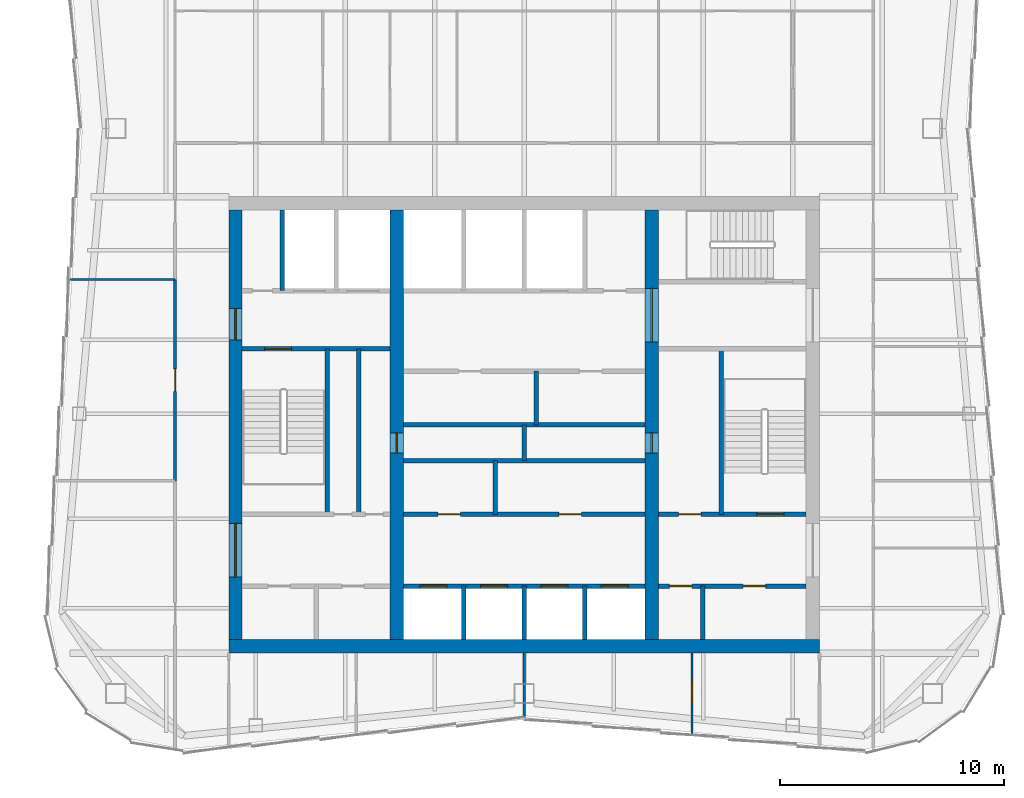
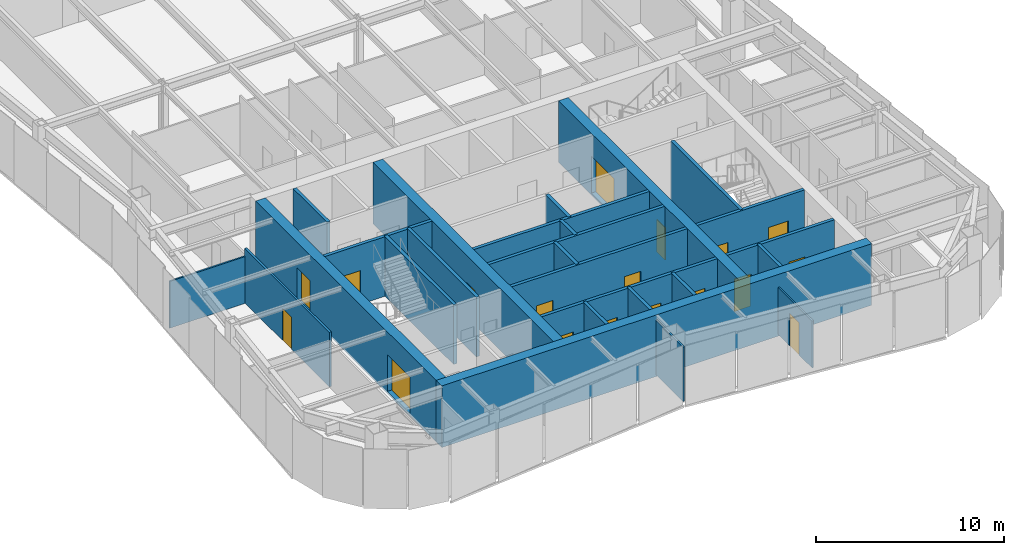
# One storey, part 6 of 11: 26 walls, 18 doors, 18 openings.
"""IFC4 building model written with IfcOpenShell, lengths in metres."""

from ifc_helpers import new_model, si_unit, direction, frame, frame_2d, origin, place, context, subcontext, project, spatial, rectangle, extrude, material, layer, layer_set, type_object, element, fill, save


model = new_model("IFC4")

# Units and contexts
model_context = context("Model", 3, precision=1e-05, world=origin(), true_north=direction((0.0, 1.0)))
body_context = subcontext(model_context, "Body", "Model", "MODEL_VIEW")
ifc_project = project(units=[si_unit("LENGTHUNIT", "METRE"), si_unit("AREAUNIT", "SQUARE_METRE"), si_unit("VOLUMEUNIT", "CUBIC_METRE"), si_unit("PLANEANGLEUNIT", "RADIAN"), si_unit("MASSUNIT", "GRAM", prefix="KILO")], contexts=[model_context])

# Site, building, storey
site_placement = place(None, origin())
site = spatial("IfcSite", under=ifc_project, at=site_placement, CompositionType="ELEMENT")
building_placement = place(site_placement, origin())
building = spatial("IfcBuilding", under=site, at=building_placement, Name="Verdant Reach Tower", CompositionType="ELEMENT")
storey_placement = place(building_placement, frame((0.0, 0.0, 314.0)))
storey = spatial("IfcBuildingStorey", under=building, at=storey_placement, Name="L72", CompositionType="ELEMENT", Elevation=314.0)

# Wall, openings, doors
ifc_material_1 = material(Name="Gypsum board on steel studs", Category="steel")
ifc_layer_1 = layer(ifc_material_1, 0.199951171875)
ifc_layer_set_1 = layer_set([ifc_layer_1], Name="CO-WALL-ROOM")
wall_type_1 = type_object("IfcWallType", Name="CO-WALL-ROOM", PredefinedType="PARTITIONING", material=ifc_layer_set_1)
wall_1_placement = place(storey_placement, frame((6.0, 20.800048828125, 0.0), z_axis=(0.0, 0.0, 1.0), x_axis=(1.0, 0.0, 0.0)))
wall_1 = element("IfcWall", 1, at=wall_1_placement, inside=storey, type_object=wall_type_1, Name="Core partition, L72", PredefinedType="PARTITIONING", context=body_context, shape_type="SweptSolid", body=[
    extrude(rectangle(XDim=6.60009765625, YDim=0.199951171875, at=frame_2d((3.300048828125, 0.0))), origin(), (0.0, 0.0, 1.0), 3.8701171875),
])
opening_1_placement = place(wall_1_placement, frame((0.489990234375, 0.0, 0.0)))
opening_1 = element("IfcOpeningElement", 2, at=opening_1_placement, cuts=wall_1, Name="Opening CD", PredefinedType="OPENING", context=body_context, shape_type="SweptSolid", body=[
    extrude(rectangle(XDim=1.0, YDim=2.10009765625, at=frame_2d((0.5, 1.050048828125))), frame((0.0, 0.10986328125, 0.0), z_axis=(0.0, -1.0, 0.0), x_axis=(1.0, 0.0, 0.0)), (0.0, 0.0, 1.0), 0.219970703125),
])
opening_2_placement = place(wall_1_placement, frame((3.7900390625, 0.0, 0.0)))
opening_2 = element("IfcOpeningElement", 3, at=opening_2_placement, cuts=wall_1, Name="Opening CD", PredefinedType="OPENING", context=body_context, shape_type="SweptSolid", body=[
    extrude(rectangle(XDim=1.0, YDim=2.10009765625, at=frame_2d((0.5, 1.050048828125))), frame((0.0, 0.10986328125, 0.0), z_axis=(0.0, -1.0, 0.0), x_axis=(1.0, 0.0, 0.0)), (0.0, 0.0, 1.0), 0.219970703125),
])
ifc_material_2 = material(Name="Timber", Category="wood")
door_type_1 = type_object("IfcDoorType", Name="CO-DOOR-ROOM", OperationType="NOTDEFINED", PredefinedType="DOOR", material=ifc_material_2)
door_1_placement = place(opening_1_placement, origin())
door_1 = element("IfcDoor", 4, at=door_1_placement, inside=storey, type_object=door_type_1, Name="Core room door, L72", OperationType="SINGLE_SWING_RIGHT", OverallHeight=2.10009765625, OverallWidth=1.0, PredefinedType="DOOR", context=body_context, shape_type="SweptSolid", body=[
    extrude(rectangle(XDim=1.0, YDim=2.10009765625, at=frame_2d((0.5, 1.050048828125))), frame((0.0, 0.02490234375, 0.0), z_axis=(0.0, -1.0, 0.0), x_axis=(1.0, 0.0, 0.0)), (0.0, 0.0, 1.0), 0.050048828125),
])
fill(opening_1, door_1)
door_2_placement = place(opening_2_placement, origin())
door_2 = element("IfcDoor", 5, at=door_2_placement, inside=storey, type_object=door_type_1, Name="Core room door, L72", OperationType="SINGLE_SWING_RIGHT", OverallHeight=2.10009765625, OverallWidth=1.0, PredefinedType="DOOR", context=body_context, shape_type="SweptSolid", body=[
    extrude(rectangle(XDim=1.0, YDim=2.10009765625, at=frame_2d((0.5, 1.050048828125))), frame((0.0, 0.02490234375, 0.0), z_axis=(0.0, -1.0, 0.0), x_axis=(1.0, 0.0, 0.0)), (0.0, 0.0, 1.0), 0.050048828125),
])
fill(opening_2, door_2)

wall_2_placement = place(storey_placement, frame((-5.39990234375, 24.0, 0.0), z_axis=(0.0, 0.0, 1.0), x_axis=(1.0, 0.0, 0.0)))
wall_2 = element("IfcWall", 6, at=wall_2_placement, inside=storey, type_object=wall_type_1, Name="Core partition, L72", PredefinedType="PARTITIONING", context=body_context, shape_type="SweptSolid", body=[
    extrude(rectangle(XDim=10.7998046875, YDim=0.199951171875, at=frame_2d((5.39990234375, 0.0))), origin(), (0.0, 0.0, 1.0), 3.8701171875),
])
opening_3_placement = place(wall_2_placement, frame((1.552001953125, 0.0, 0.0)))
opening_3 = element("IfcOpeningElement", 7, at=opening_3_placement, cuts=wall_2, Name="Opening CD", PredefinedType="OPENING", context=body_context, shape_type="SweptSolid", body=[
    extrude(rectangle(XDim=1.0, YDim=2.10009765625, at=frame_2d((0.5, 1.050048828125))), frame((0.0, 0.10986328125, 0.0), z_axis=(0.0, -1.0, 0.0), x_axis=(1.0, 0.0, 0.0)), (0.0, 0.0, 1.0), 0.219970703125),
])
opening_4_placement = place(wall_2_placement, frame((6.951904296875, 0.0, 0.0)))
opening_4 = element("IfcOpeningElement", 8, at=opening_4_placement, cuts=wall_2, Name="Opening CD", PredefinedType="OPENING", context=body_context, shape_type="SweptSolid", body=[
    extrude(rectangle(XDim=1.0, YDim=2.10009765625, at=frame_2d((0.5, 1.050048828125))), frame((0.0, 0.10986328125, 0.0), z_axis=(0.0, -1.0, 0.0), x_axis=(1.0, 0.0, 0.0)), (0.0, 0.0, 1.0), 0.219970703125),
])
door_3_placement = place(opening_3_placement, origin())
door_3 = element("IfcDoor", 9, at=door_3_placement, inside=storey, type_object=door_type_1, Name="Core room door, L72", OperationType="SINGLE_SWING_LEFT", OverallHeight=2.10009765625, OverallWidth=1.0, PredefinedType="DOOR", context=body_context, shape_type="SweptSolid", body=[
    extrude(rectangle(XDim=1.0, YDim=2.10009765625, at=frame_2d((0.5, 1.050048828125))), frame((0.0, 0.02490234375, 0.0), z_axis=(0.0, -1.0, 0.0), x_axis=(1.0, 0.0, 0.0)), (0.0, 0.0, 1.0), 0.050048828125),
])
fill(opening_3, door_3)
door_4_placement = place(opening_4_placement, origin())
door_4 = element("IfcDoor", 10, at=door_4_placement, inside=storey, type_object=door_type_1, Name="Core room door, L72", OperationType="SINGLE_SWING_RIGHT", OverallHeight=2.10009765625, OverallWidth=1.0, PredefinedType="DOOR", context=body_context, shape_type="SweptSolid", body=[
    extrude(rectangle(XDim=1.0, YDim=2.10009765625, at=frame_2d((0.5, 1.050048828125))), frame((0.0, 0.02490234375, 0.0), z_axis=(0.0, -1.0, 0.0), x_axis=(1.0, 0.0, 0.0)), (0.0, 0.0, 1.0), 0.050048828125),
])
fill(opening_4, door_4)

# Walls
for number, where, z_axis, x_axis, name in (
    (11, (-5.39990234375, 26.39990234375, 0.0), (0.0, 0.0, 1.0), (1.0, 0.0, 0.0), "Core partition, L72"),
    (12, (-5.39990234375, 28.0, 0.0), (0.0, 0.0, 1.0), (1.0, 0.0, 0.0), "Core partition, L72"),
):
    element("IfcWall", number, at=place(storey_placement, frame(where, z_axis=z_axis, x_axis=x_axis)), inside=storey, type_object=wall_type_1, Name=name, PredefinedType="PARTITIONING", context=body_context, shape_type="SweptSolid", body=[
        extrude(rectangle(XDim=10.7998046875, YDim=0.199951171875, at=frame_2d((5.39990234375, 0.0))), origin(), (0.0, 0.0, 1.0), 3.8701171875),
    ])
wall_3_placement = place(storey_placement, frame((-7.39990234375, 24.0, 0.0), z_axis=(0.0, 0.0, 1.0), x_axis=(0.0, 1.0, 0.0)))
element("IfcWall", 13, at=wall_3_placement, inside=storey, type_object=wall_type_1, Name="Core partition, L72", PredefinedType="PARTITIONING", context=body_context, shape_type="SweptSolid", body=[
    extrude(rectangle(XDim=7.39990234375, YDim=0.199951171875, at=frame_2d((3.699951171875, 0.0))), origin(), (0.0, 0.0, 1.0), 3.8701171875),
])
wall_4_placement = place(storey_placement, frame((-1.2958984375, 24.0, 0.0), z_axis=(0.0, 0.0, 1.0), x_axis=(0.0, 1.0, 0.0)))
element("IfcWall", 14, at=wall_4_placement, inside=storey, type_object=wall_type_1, Name="Core partition, L72", PredefinedType="PARTITIONING", context=body_context, shape_type="SweptSolid", body=[
    extrude(rectangle(XDim=2.39990234375, YDim=0.199951171875, at=frame_2d((1.199951171875, 0.0))), origin(), (0.0, 0.0, 1.0), 3.8701171875),
])
wall_5_placement = place(storey_placement, frame((0.0, 26.39990234375, 0.0), z_axis=(0.0, 0.0, 1.0), x_axis=(0.0, 1.0, 0.0)))
element("IfcWall", 15, at=wall_5_placement, inside=storey, type_object=wall_type_1, Name="Core partition, L72", PredefinedType="PARTITIONING", context=body_context, shape_type="SweptSolid", body=[
    extrude(rectangle(XDim=1.60009765625, YDim=0.199951171875, at=frame_2d((0.800048828125, 0.0))), origin(), (0.0, 0.0, 1.0), 3.8701171875),
])
wall_6_placement = place(storey_placement, frame((0.5400390625, 28.0, 0.0), z_axis=(0.0, 0.0, 1.0), x_axis=(0.0, 1.0, 0.0)))
element("IfcWall", 16, at=wall_6_placement, inside=storey, type_object=wall_type_1, Name="Core partition, L72", PredefinedType="PARTITIONING", context=body_context, shape_type="SweptSolid", body=[
    extrude(rectangle(XDim=2.39990234375, YDim=0.199951171875, at=frame_2d((1.199951171875, 0.0))), origin(), (0.0, 0.0, 1.0), 3.8701171875),
])
wall_7_placement = place(storey_placement, frame((7.97998046875, 18.39990234375, 0.0), z_axis=(0.0, 0.0, 1.0), x_axis=(0.0, 1.0, 0.0)))
element("IfcWall", 17, at=wall_7_placement, inside=storey, type_object=wall_type_1, Name="Core partition, L72", PredefinedType="PARTITIONING", context=body_context, shape_type="SweptSolid", body=[
    extrude(rectangle(XDim=2.400146484375, YDim=0.199951171875, at=frame_2d((1.2001953125, 0.0))), origin(), (0.0, 0.0, 1.0), 3.8701171875),
])

# Wall, openings, doors
ifc_material_3 = material(Name="Concrete C40/50", Category="concrete")
ifc_layer_2 = layer(ifc_material_3, 0.199951171875)
ifc_layer_set_2 = layer_set([ifc_layer_2], Name="CO-WALL-SHAFT")
wall_type_2 = type_object("IfcWallType", Name="CO-WALL-SHAFT", PredefinedType="PARTITIONING", material=ifc_layer_set_2)
wall_8_placement = place(storey_placement, frame((-5.39990234375, 20.800048828125, 0.0), z_axis=(0.0, 0.0, 1.0), x_axis=(1.0, 0.0, 0.0)))
wall_8 = element("IfcWall", 18, at=wall_8_placement, inside=storey, type_object=wall_type_2, Name="Lift shaft wall, L72", PredefinedType="PARTITIONING", context=body_context, shape_type="SweptSolid", body=[
    extrude(rectangle(XDim=10.7998046875, YDim=0.199951171875, at=frame_2d((5.39990234375, 0.0))), origin(), (0.0, 0.0, 1.0), 3.8701171875),
])
opening_5_placement = place(wall_8_placement, frame((0.75, 0.0, 0.0)))
opening_5 = element("IfcOpeningElement", 19, at=opening_5_placement, cuts=wall_8, Name="Opening LD-B1", PredefinedType="OPENING", context=body_context, shape_type="SweptSolid", body=[
    extrude(rectangle(XDim=1.199951171875, YDim=2.199951171875, at=frame_2d((0.60009765625, 1.10009765625))), frame((0.0, 0.10986328125, 0.0), z_axis=(0.0, -1.0, 0.0), x_axis=(1.0, 0.0, 0.0)), (0.0, 0.0, 1.0), 0.219970703125),
])
opening_6_placement = place(wall_8_placement, frame((3.449951171875, 0.0, 0.0)))
opening_6 = element("IfcOpeningElement", 20, at=opening_6_placement, cuts=wall_8, Name="Opening LD-B2", PredefinedType="OPENING", context=body_context, shape_type="SweptSolid", body=[
    extrude(rectangle(XDim=1.199951171875, YDim=2.199951171875, at=frame_2d((0.60009765625, 1.10009765625))), frame((0.0, 0.10986328125, 0.0), z_axis=(0.0, -1.0, 0.0), x_axis=(1.0, 0.0, 0.0)), (0.0, 0.0, 1.0), 0.219970703125),
])
opening_7_placement = place(wall_8_placement, frame((6.14990234375, 0.0, 0.0)))
opening_7 = element("IfcOpeningElement", 21, at=opening_7_placement, cuts=wall_8, Name="Opening LD-B3", PredefinedType="OPENING", context=body_context, shape_type="SweptSolid", body=[
    extrude(rectangle(XDim=1.199951171875, YDim=2.199951171875, at=frame_2d((0.60009765625, 1.10009765625))), frame((0.0, 0.10986328125, 0.0), z_axis=(0.0, -1.0, 0.0), x_axis=(1.0, 0.0, 0.0)), (0.0, 0.0, 1.0), 0.219970703125),
])
opening_8_placement = place(wall_8_placement, frame((8.85009765625, 0.0, 0.0)))
opening_8 = element("IfcOpeningElement", 22, at=opening_8_placement, cuts=wall_8, Name="Opening LD-B4", PredefinedType="OPENING", context=body_context, shape_type="SweptSolid", body=[
    extrude(rectangle(XDim=1.199951171875, YDim=2.199951171875, at=frame_2d((0.60009765625, 1.10009765625))), frame((0.0, 0.10986328125, 0.0), z_axis=(0.0, -1.0, 0.0), x_axis=(1.0, 0.0, 0.0)), (0.0, 0.0, 1.0), 0.219970703125),
])
ifc_material_4 = material(Name="Stainless steel", Category="steel")
door_type_2 = type_object("IfcDoorType", Name="CO-DOOR-LANDING", OperationType="SLIDING_TO_LEFT", PredefinedType="DOOR", material=ifc_material_4)
door_5_placement = place(opening_5_placement, origin())
door_5 = element("IfcDoor", 23, at=door_5_placement, inside=storey, type_object=door_type_2, Name="Landing door B1, L72", OperationType="SLIDING_TO_LEFT", OverallHeight=2.199951171875, OverallWidth=1.199951171875, PredefinedType="DOOR", context=body_context, shape_type="SweptSolid", body=[
    extrude(rectangle(XDim=1.199951171875, YDim=2.199951171875, at=frame_2d((0.60009765625, 1.10009765625))), frame((0.0, 0.02490234375, 0.0), z_axis=(0.0, -1.0, 0.0), x_axis=(1.0, 0.0, 0.0)), (0.0, 0.0, 1.0), 0.050048828125),
])
fill(opening_5, door_5)
door_6_placement = place(opening_6_placement, origin())
door_6 = element("IfcDoor", 24, at=door_6_placement, inside=storey, type_object=door_type_2, Name="Landing door B2, L72", OperationType="SLIDING_TO_LEFT", OverallHeight=2.199951171875, OverallWidth=1.199951171875, PredefinedType="DOOR", context=body_context, shape_type="SweptSolid", body=[
    extrude(rectangle(XDim=1.199951171875, YDim=2.199951171875, at=frame_2d((0.60009765625, 1.10009765625))), frame((0.0, 0.02490234375, 0.0), z_axis=(0.0, -1.0, 0.0), x_axis=(1.0, 0.0, 0.0)), (0.0, 0.0, 1.0), 0.050048828125),
])
fill(opening_6, door_6)
door_7_placement = place(opening_7_placement, origin())
door_7 = element("IfcDoor", 25, at=door_7_placement, inside=storey, type_object=door_type_2, Name="Landing door B3, L72", OperationType="SLIDING_TO_LEFT", OverallHeight=2.199951171875, OverallWidth=1.199951171875, PredefinedType="DOOR", context=body_context, shape_type="SweptSolid", body=[
    extrude(rectangle(XDim=1.199951171875, YDim=2.199951171875, at=frame_2d((0.60009765625, 1.10009765625))), frame((0.0, 0.02490234375, 0.0), z_axis=(0.0, -1.0, 0.0), x_axis=(1.0, 0.0, 0.0)), (0.0, 0.0, 1.0), 0.050048828125),
])
fill(opening_7, door_7)
door_8_placement = place(opening_8_placement, origin())
door_8 = element("IfcDoor", 26, at=door_8_placement, inside=storey, type_object=door_type_2, Name="Landing door B4, L72", OperationType="SLIDING_TO_LEFT", OverallHeight=2.199951171875, OverallWidth=1.199951171875, PredefinedType="DOOR", context=body_context, shape_type="SweptSolid", body=[
    extrude(rectangle(XDim=1.199951171875, YDim=2.199951171875, at=frame_2d((0.60009765625, 1.10009765625))), frame((0.0, 0.02490234375, 0.0), z_axis=(0.0, -1.0, 0.0), x_axis=(1.0, 0.0, 0.0)), (0.0, 0.0, 1.0), 0.050048828125),
])
fill(opening_8, door_8)

# Walls
wall_9_placement = place(storey_placement, frame((-10.800048828125, 34.0, 0.0), z_axis=(0.0, 0.0, 1.0), x_axis=(0.0, 1.0, 0.0)))
element("IfcWall", 27, at=wall_9_placement, inside=storey, type_object=wall_type_2, Name="Lift shaft wall, L72", PredefinedType="PARTITIONING", context=body_context, shape_type="SweptSolid", body=[
    extrude(rectangle(XDim=3.60009765625, YDim=0.199951171875, at=frame_2d((1.800048828125, 0.0))), origin(), (0.0, 0.0, 1.0), 3.8701171875),
])
for number, where, z_axis, x_axis, name in (
    (28, (-2.699951171875, 18.39990234375, 0.0), (0.0, 0.0, 1.0), (0.0, 1.0, 0.0), "Lift shaft wall, L72"),
    (29, (0.0, 18.39990234375, 0.0), (0.0, 0.0, 1.0), (0.0, 1.0, 0.0), "Lift shaft wall, L72"),
    (30, (2.699951171875, 18.39990234375, 0.0), (0.0, 0.0, 1.0), (0.0, 1.0, 0.0), "Lift shaft wall, L72"),
):
    element("IfcWall", number, at=place(storey_placement, frame(where, z_axis=z_axis, x_axis=x_axis)), inside=storey, type_object=wall_type_2, Name=name, PredefinedType="PARTITIONING", context=body_context, shape_type="SweptSolid", body=[
        extrude(rectangle(XDim=2.400146484375, YDim=0.199951171875, at=frame_2d((1.2001953125, 0.0))), origin(), (0.0, 0.0, 1.0), 3.8701171875),
    ])

# Wall, openings, doors
ifc_layer_3 = layer(ifc_material_3, 0.199951171875)
ifc_layer_set_3 = layer_set([ifc_layer_3], Name="CO-WALL-STAIR")
wall_type_3 = type_object("IfcWallType", Name="CO-WALL-STAIR", PredefinedType="PARTITIONING", material=ifc_layer_set_3)
wall_10_placement = place(storey_placement, frame((6.0, 24.0, 0.0), z_axis=(0.0, 0.0, 1.0), x_axis=(1.0, 0.0, 0.0)))
wall_10 = element("IfcWall", 31, at=wall_10_placement, inside=storey, type_object=wall_type_3, Name="Stair enclosure wall, L72", PredefinedType="PARTITIONING", context=body_context, shape_type="SweptSolid", body=[
    extrude(rectangle(XDim=6.60009765625, YDim=0.199951171875, at=frame_2d((3.300048828125, 0.0))), origin(), (0.0, 0.0, 1.0), 3.8701171875),
])
opening_9_placement = place(wall_10_placement, frame((0.89990234375, 0.0, 0.0)))
opening_9 = element("IfcOpeningElement", 32, at=opening_9_placement, cuts=wall_10, Name="Opening CD", PredefinedType="OPENING", context=body_context, shape_type="SweptSolid", body=[
    extrude(rectangle(XDim=1.0, YDim=2.10009765625, at=frame_2d((0.5, 1.050048828125))), frame((0.0, 0.10986328125, 0.0), z_axis=(0.0, -1.0, 0.0), x_axis=(1.0, 0.0, 0.0)), (0.0, 0.0, 1.0), 0.219970703125),
])
opening_10_placement = place(wall_10_placement, frame((4.39990234375, 0.0, 0.0)))
opening_10 = element("IfcOpeningElement", 33, at=opening_10_placement, cuts=wall_10, Name="Opening SD", PredefinedType="OPENING", context=body_context, shape_type="SweptSolid", body=[
    extrude(rectangle(XDim=1.199951171875, YDim=2.199951171875, at=frame_2d((0.60009765625, 1.10009765625))), frame((0.0, 0.10986328125, 0.0), z_axis=(0.0, -1.0, 0.0), x_axis=(1.0, 0.0, 0.0)), (0.0, 0.0, 1.0), 0.219970703125),
])
door_9_placement = place(opening_9_placement, origin())
door_9 = element("IfcDoor", 34, at=door_9_placement, inside=storey, type_object=door_type_1, Name="Core room door, L72", OperationType="SINGLE_SWING_RIGHT", OverallHeight=2.10009765625, OverallWidth=1.0, PredefinedType="DOOR", context=body_context, shape_type="SweptSolid", body=[
    extrude(rectangle(XDim=1.0, YDim=2.10009765625, at=frame_2d((0.5, 1.050048828125))), frame((0.0, 0.02490234375, 0.0), z_axis=(0.0, -1.0, 0.0), x_axis=(1.0, 0.0, 0.0)), (0.0, 0.0, 1.0), 0.050048828125),
])
fill(opening_9, door_9)
ifc_material_5 = material(Name="Steel", Category="steel")
door_type_3 = type_object("IfcDoorType", Name="CO-DOOR-STAIR", OperationType="NOTDEFINED", PredefinedType="DOOR", material=ifc_material_5)
door_10_placement = place(opening_10_placement, origin())
door_10 = element("IfcDoor", 35, at=door_10_placement, inside=storey, type_object=door_type_3, Name="Stair door, L72", OperationType="SINGLE_SWING_LEFT", OverallHeight=2.199951171875, OverallWidth=1.199951171875, PredefinedType="DOOR", context=body_context, shape_type="SweptSolid", body=[
    extrude(rectangle(XDim=1.199951171875, YDim=2.199951171875, at=frame_2d((0.60009765625, 1.10009765625))), frame((0.0, 0.02490234375, 0.0), z_axis=(0.0, -1.0, 0.0), x_axis=(1.0, 0.0, 0.0)), (0.0, 0.0, 1.0), 0.050048828125),
])
fill(opening_10, door_10)

# Wall, opening, door
wall_11_placement = place(storey_placement, frame((-12.60009765625, 31.39990234375, 0.0), z_axis=(0.0, 0.0, 1.0), x_axis=(1.0, 0.0, 0.0)))
wall_11 = element("IfcWall", 36, at=wall_11_placement, inside=storey, type_object=wall_type_3, Name="Stair enclosure wall, L72", PredefinedType="PARTITIONING", context=body_context, shape_type="SweptSolid", body=[
    extrude(rectangle(XDim=6.60009765625, YDim=0.199951171875, at=frame_2d((3.300048828125, 0.0))), origin(), (0.0, 0.0, 1.0), 3.8701171875),
])
opening_11_placement = place(wall_11_placement, frame((1.0, 0.0, 0.0)))
opening_11 = element("IfcOpeningElement", 37, at=opening_11_placement, cuts=wall_11, Name="Opening SD", PredefinedType="OPENING", context=body_context, shape_type="SweptSolid", body=[
    extrude(rectangle(XDim=1.199951171875, YDim=2.199951171875, at=frame_2d((0.60009765625, 1.10009765625))), frame((0.0, 0.10986328125, 0.0), z_axis=(0.0, -1.0, 0.0), x_axis=(1.0, 0.0, 0.0)), (0.0, 0.0, 1.0), 0.219970703125),
])
door_11_placement = place(opening_11_placement, origin())
door_11 = element("IfcDoor", 38, at=door_11_placement, inside=storey, type_object=door_type_3, Name="Stair door, L72", OperationType="SINGLE_SWING_RIGHT", OverallHeight=2.199951171875, OverallWidth=1.199951171875, PredefinedType="DOOR", context=body_context, shape_type="SweptSolid", body=[
    extrude(rectangle(XDim=1.199951171875, YDim=2.199951171875, at=frame_2d((0.60009765625, 1.10009765625))), frame((0.0, 0.02490234375, 0.0), z_axis=(0.0, -1.0, 0.0), x_axis=(1.0, 0.0, 0.0)), (0.0, 0.0, 1.0), 0.050048828125),
])
fill(opening_11, door_11)

# Walls
for number, where, z_axis, x_axis, name in (
    (39, (-8.800048828125, 24.0, 0.0), (0.0, 0.0, 1.0), (0.0, 1.0, 0.0), "Stair enclosure wall, L72"),
    (40, (8.800048828125, 24.0, 0.0), (0.0, 0.0, 1.0), (0.0, 1.0, 0.0), "Stair enclosure wall, L72"),
):
    element("IfcWall", number, at=place(storey_placement, frame(where, z_axis=z_axis, x_axis=x_axis)), inside=storey, type_object=wall_type_3, Name=name, PredefinedType="PARTITIONING", context=body_context, shape_type="SweptSolid", body=[
        extrude(rectangle(XDim=7.39990234375, YDim=0.199951171875, at=frame_2d((3.699951171875, 0.0))), origin(), (0.0, 0.0, 1.0), 3.8701171875),
    ])
ifc_layer_4 = layer(ifc_material_1, 0.10009765625)
ifc_layer_set_4 = layer_set([ifc_layer_4], Name="FL-W1 Partition 100")
wall_type_4 = type_object("IfcWallType", Name="FL-W1 Partition 100", PredefinedType="PARTITIONING", material=ifc_layer_set_4)
wall_12_placement = place(storey_placement, frame((-15.60009765625, 34.5, 0.0), z_axis=(0.0, 0.0, 1.0), x_axis=(-1.0, 0.0, 0.0)))
element("IfcWall", 41, at=wall_12_placement, inside=storey, type_object=wall_type_4, Name="Partition 72.19", PredefinedType="PARTITIONING", context=body_context, shape_type="SweptSolid", body=[
    extrude(rectangle(XDim=4.6953125, YDim=0.10009765625, at=frame_2d((2.34765625, 0.0))), origin(), (0.0, 0.0, 1.0), 3.0400390625),
])
wall_13_placement = place(storey_placement, frame((0.0, 14.919921875, 0.0), z_axis=(0.0, 0.0, 1.0), x_axis=(0.0, 1.0, 0.0)))
element("IfcWall", 42, at=wall_13_placement, inside=storey, type_object=wall_type_4, Name="Partition 72.32", PredefinedType="PARTITIONING", context=body_context, shape_type="SweptSolid", body=[
    extrude(rectangle(XDim=2.880126953125, YDim=0.10009765625, at=frame_2d((1.43994140625, 0.0))), origin(), (0.0, 0.0, 1.0), 3.5400390625),
])

# Wall, opening, door
wall_14_placement = place(storey_placement, frame((7.5, 14.182373046875, 0.0), z_axis=(0.0, 0.0, 1.0), x_axis=(0.0, 1.0, 0.0)))
wall_14 = element("IfcWall", 43, at=wall_14_placement, inside=storey, type_object=wall_type_4, Name="Partition 72.33", PredefinedType="PARTITIONING", context=body_context, shape_type="SweptSolid", body=[
    extrude(rectangle(XDim=3.61767578125, YDim=0.10009765625, at=frame_2d((1.808837890625, 0.0))), origin(), (0.0, 0.0, 1.0), 3.0400390625),
])
opening_12_placement = place(wall_14_placement, frame((1.3740234375, 0.0, 0.0)))
opening_12 = element("IfcOpeningElement", 44, at=opening_12_placement, cuts=wall_14, Name="Opening D3", PredefinedType="OPENING", context=body_context, shape_type="SweptSolid", body=[
    extrude(rectangle(XDim=1.0, YDim=2.10009765625, at=frame_2d((0.5, 1.050048828125))), frame((0.0, 0.06005859375, 0.0), z_axis=(0.0, -1.0, 0.0), x_axis=(1.0, 0.0, 0.0)), (0.0, 0.0, 1.0), 0.1201171875),
])
ifc_material_6 = material(Name="Painted timber door leaf", Category="wood")
door_type_4 = type_object("IfcDoorType", Name="FL-D3 Door 1000x2100", OperationType="NOTDEFINED", PredefinedType="DOOR", material=ifc_material_6)
door_12_placement = place(opening_12_placement, origin())
door_12 = element("IfcDoor", 45, at=door_12_placement, inside=storey, type_object=door_type_4, Name="Door 72-016", OperationType="SINGLE_SWING_RIGHT", OverallHeight=2.10009765625, OverallWidth=1.0, PredefinedType="DOOR", context=body_context, shape_type="SweptSolid", body=[
    extrude(rectangle(XDim=1.0, YDim=2.10009765625, at=frame_2d((0.5, 1.050048828125))), frame((0.0, 0.02490234375, 0.0), z_axis=(0.0, -1.0, 0.0), x_axis=(1.0, 0.0, 0.0)), (0.0, 0.0, 1.0), 0.050048828125),
])
fill(opening_12, door_12)

ifc_material_7 = material(Name="Gypsum board on steel studs, fire rated", Category="steel")
ifc_layer_5 = layer(ifc_material_7, 0.125)
ifc_layer_set_5 = layer_set([ifc_layer_5], Name="FL-W2 Corridor wall 125")
wall_type_5 = type_object("IfcWallType", Name="FL-W2 Corridor wall 125", PredefinedType="PARTITIONING", material=ifc_layer_set_5)
wall_15_placement = place(storey_placement, frame((-15.60009765625, 25.5, 0.0), z_axis=(0.0, 0.0, 1.0), x_axis=(0.0, 1.0, 0.0)))
wall_15 = element("IfcWall", 46, at=wall_15_placement, inside=storey, type_object=wall_type_5, Name="Partition 72.02", PredefinedType="PARTITIONING", context=body_context, shape_type="SweptSolid", body=[
    extrude(rectangle(XDim=9.0, YDim=0.125, at=frame_2d((4.5, 0.0))), origin(), (0.0, 0.0, 1.0), 3.5400390625),
])
opening_13_placement = place(wall_15_placement, frame((4.0, 0.0, 0.0)))
opening_13 = element("IfcOpeningElement", 47, at=opening_13_placement, cuts=wall_15, Name="Opening D2", PredefinedType="OPENING", context=body_context, shape_type="SweptSolid", body=[
    extrude(rectangle(XDim=1.0, YDim=2.10009765625, at=frame_2d((0.5, 1.050048828125))), frame((0.0, 0.072509765625, 0.0), z_axis=(0.0, -1.0, 0.0), x_axis=(1.0, 0.0, 0.0)), (0.0, 0.0, 1.0), 0.14501953125),
])
ifc_material_8 = material(Name="Timber door leaf, fire rated", Category="wood")
door_type_5 = type_object("IfcDoorType", Name="FL-D2 Entrance door 1000x2100 FD30", OperationType="NOTDEFINED", PredefinedType="DOOR", material=ifc_material_8)
door_13_placement = place(opening_13_placement, origin())
door_13 = element("IfcDoor", 48, at=door_13_placement, inside=storey, type_object=door_type_5, Name="Door 72-002", OperationType="SINGLE_SWING_RIGHT", OverallHeight=2.10009765625, OverallWidth=1.0, PredefinedType="DOOR", context=body_context, shape_type="SweptSolid", body=[
    extrude(rectangle(XDim=1.0, YDim=2.10009765625, at=frame_2d((0.5, 1.050048828125))), frame((0.0, 0.02490234375, 0.0), z_axis=(0.0, -1.0, 0.0), x_axis=(1.0, 0.0, 0.0)), (0.0, 0.0, 1.0), 0.050048828125),
])
fill(opening_13, door_13)

# Wall
ifc_material_9 = material(Name="Concrete C70/85", Category="concrete")
ifc_layer_6 = layer(ifc_material_9, 0.60009765625)
ifc_layer_set_6 = layer_set([ifc_layer_6], Name="ST-CORE-WALL-600")
wall_type_6 = type_object("IfcWallType", Name="ST-CORE-WALL-600", PredefinedType="SHEAR", material=ifc_layer_set_6)
wall_16_placement = place(storey_placement, frame((-13.199951171875, 18.10009765625, -0.1298828125), z_axis=(0.0, 0.0, 1.0), x_axis=(1.0, 0.0, 0.0)))
element("IfcWall", 49, at=wall_16_placement, inside=storey, type_object=wall_type_6, Name="Core wall S, L72", PredefinedType="SHEAR", context=body_context, shape_type="SweptSolid", body=[
    extrude(rectangle(XDim=26.39990234375, YDim=0.60009765625, at=frame_2d((13.199951171875, 0.0))), origin(), (0.0, 0.0, 1.0), 4.0),
])

# Wall, openings, doors
wall_17_placement = place(storey_placement, frame((-12.89990234375, 18.39990234375, -0.1298828125), z_axis=(0.0, 0.0, 1.0), x_axis=(0.0, 1.0, 0.0)))
wall_17 = element("IfcWall", 50, at=wall_17_placement, inside=storey, type_object=wall_type_6, Name="Core wall W, L72", PredefinedType="SHEAR", context=body_context, shape_type="SweptSolid", body=[
    extrude(rectangle(XDim=19.2001953125, YDim=0.60009765625, at=frame_2d((9.60009765625, 0.0))), origin(), (0.0, 0.0, 1.0), 4.0),
])
opening_14_placement = place(wall_17_placement, frame((2.800048828125, 0.0, 0.1298828125)))
opening_14 = element("IfcOpeningElement", 51, at=opening_14_placement, cuts=wall_17, Name="Opening LB", PredefinedType="OPENING", context=body_context, shape_type="SweptSolid", body=[
    extrude(rectangle(XDim=2.39990234375, YDim=2.39990234375, at=frame_2d((1.199951171875, 1.199951171875))), frame((0.0, 0.31005859375, 0.0), z_axis=(0.0, -1.0, 0.0), x_axis=(1.0, 0.0, 0.0)), (0.0, 0.0, 1.0), 0.6201171875),
])
opening_15_placement = place(wall_17_placement, frame((13.39990234375, 0.0, 0.1298828125)))
opening_15 = element("IfcOpeningElement", 52, at=opening_15_placement, cuts=wall_17, Name="Opening FL", PredefinedType="OPENING", context=body_context, shape_type="SweptSolid", body=[
    extrude(rectangle(XDim=1.39990234375, YDim=2.199951171875, at=frame_2d((0.699951171875, 1.10009765625))), frame((0.0, 0.31005859375, 0.0), z_axis=(0.0, -1.0, 0.0), x_axis=(1.0, 0.0, 0.0)), (0.0, 0.0, 1.0), 0.6201171875),
])
door_type_6 = type_object("IfcDoorType", Name="CO-DOOR-FFL", OperationType="NOTDEFINED", PredefinedType="DOOR", material=ifc_material_5)
door_14_placement = place(opening_15_placement, origin())
door_14 = element("IfcDoor", 53, at=door_14_placement, inside=storey, type_object=door_type_6, Name="Core entrance door, L72", OperationType="SINGLE_SWING_RIGHT", OverallHeight=2.199951171875, OverallWidth=1.39990234375, PredefinedType="DOOR", context=body_context, shape_type="SweptSolid", body=[
    extrude(rectangle(XDim=1.39990234375, YDim=2.199951171875, at=frame_2d((0.699951171875, 1.10009765625))), frame((0.0, 0.02490234375, 0.0), z_axis=(0.0, -1.0, 0.0), x_axis=(1.0, 0.0, 0.0)), (0.0, 0.0, 1.0), 0.050048828125),
])
fill(opening_15, door_14)
ifc_material_10 = material(Name="Glass and steel", Category="steel")
door_type_7 = type_object("IfcDoorType", Name="CO-DOOR-LOBBY", OperationType="DOUBLE_DOOR_SINGLE_SWING", PredefinedType="DOOR", material=ifc_material_10)
door_15_placement = place(opening_14_placement, origin())
door_15 = element("IfcDoor", 54, at=door_15_placement, inside=storey, type_object=door_type_7, Name="Core entrance door, L72", OperationType="DOUBLE_DOOR_SINGLE_SWING", OverallHeight=2.39990234375, OverallWidth=2.39990234375, PredefinedType="DOOR", context=body_context, shape_type="SweptSolid", body=[
    extrude(rectangle(XDim=2.39990234375, YDim=2.39990234375, at=frame_2d((1.199951171875, 1.199951171875))), frame((0.0, 0.02490234375, 0.0), z_axis=(0.0, -1.0, 0.0), x_axis=(1.0, 0.0, 0.0)), (0.0, 0.0, 1.0), 0.050048828125),
])
fill(opening_14, door_15)

# Wall, opening, door
wall_18_placement = place(storey_placement, frame((-5.699951171875, 18.39990234375, -0.1298828125), z_axis=(0.0, 0.0, 1.0), x_axis=(0.0, 1.0, 0.0)))
wall_18 = element("IfcWall", 55, at=wall_18_placement, inside=storey, type_object=wall_type_6, Name="Core wall XW, L72", PredefinedType="SHEAR", context=body_context, shape_type="SweptSolid", body=[
    extrude(rectangle(XDim=19.2001953125, YDim=0.60009765625, at=frame_2d((9.60009765625, 0.0))), origin(), (0.0, 0.0, 1.0), 4.0),
])
opening_16_placement = place(wall_18_placement, frame((8.35009765625, 0.0, 0.1298828125)))
opening_16 = element("IfcOpeningElement", 56, at=opening_16_placement, cuts=wall_18, Name="Opening RD", PredefinedType="OPENING", context=body_context, shape_type="SweptSolid", body=[
    extrude(rectangle(XDim=0.89990234375, YDim=2.10009765625, at=frame_2d((0.449951171875, 1.050048828125))), frame((0.0, 0.31005859375, 0.0), z_axis=(0.0, -1.0, 0.0), x_axis=(1.0, 0.0, 0.0)), (0.0, 0.0, 1.0), 0.6201171875),
])
door_type_8 = type_object("IfcDoorType", Name="CO-DOOR-RISER", OperationType="NOTDEFINED", PredefinedType="DOOR", material=ifc_material_5)
door_16_placement = place(opening_16_placement, origin())
door_16 = element("IfcDoor", 57, at=door_16_placement, inside=storey, type_object=door_type_8, Name="Riser door, L72", OperationType="SINGLE_SWING_LEFT", OverallHeight=2.10009765625, OverallWidth=0.89990234375, PredefinedType="DOOR", context=body_context, shape_type="SweptSolid", body=[
    extrude(rectangle(XDim=0.89990234375, YDim=2.10009765625, at=frame_2d((0.449951171875, 1.050048828125))), frame((0.0, 0.02490234375, 0.0), z_axis=(0.0, -1.0, 0.0), x_axis=(1.0, 0.0, 0.0)), (0.0, 0.0, 1.0), 0.050048828125),
])
fill(opening_16, door_16)

# Wall, openings, doors
wall_19_placement = place(storey_placement, frame((5.699951171875, 18.39990234375, -0.1298828125), z_axis=(0.0, 0.0, 1.0), x_axis=(0.0, 1.0, 0.0)))
wall_19 = element("IfcWall", 58, at=wall_19_placement, inside=storey, type_object=wall_type_6, Name="Core wall XE, L72", PredefinedType="SHEAR", context=body_context, shape_type="SweptSolid", body=[
    extrude(rectangle(XDim=19.2001953125, YDim=0.60009765625, at=frame_2d((9.60009765625, 0.0))), origin(), (0.0, 0.0, 1.0), 4.0),
])
opening_17_placement = place(wall_19_placement, frame((8.35009765625, 0.0, 0.1298828125)))
opening_17 = element("IfcOpeningElement", 59, at=opening_17_placement, cuts=wall_19, Name="Opening RD", PredefinedType="OPENING", context=body_context, shape_type="SweptSolid", body=[
    extrude(rectangle(XDim=0.89990234375, YDim=2.10009765625, at=frame_2d((0.449951171875, 1.050048828125))), frame((0.0, 0.31005859375, 0.0), z_axis=(0.0, -1.0, 0.0), x_axis=(1.0, 0.0, 0.0)), (0.0, 0.0, 1.0), 0.6201171875),
])
opening_18_placement = place(wall_19_placement, frame((13.300048828125, 0.0, 0.1298828125)))
opening_18 = element("IfcOpeningElement", 60, at=opening_18_placement, cuts=wall_19, Name="Opening LB", PredefinedType="OPENING", context=body_context, shape_type="SweptSolid", body=[
    extrude(rectangle(XDim=2.39990234375, YDim=2.39990234375, at=frame_2d((1.199951171875, 1.199951171875))), frame((0.0, 0.31005859375, 0.0), z_axis=(0.0, -1.0, 0.0), x_axis=(1.0, 0.0, 0.0)), (0.0, 0.0, 1.0), 0.6201171875),
])
door_17_placement = place(opening_18_placement, origin())
door_17 = element("IfcDoor", 61, at=door_17_placement, inside=storey, type_object=door_type_7, Name="Core entrance door, L72", OperationType="DOUBLE_DOOR_SINGLE_SWING", OverallHeight=2.39990234375, OverallWidth=2.39990234375, PredefinedType="DOOR", context=body_context, shape_type="SweptSolid", body=[
    extrude(rectangle(XDim=2.39990234375, YDim=2.39990234375, at=frame_2d((1.199951171875, 1.199951171875))), frame((0.0, 0.02490234375, 0.0), z_axis=(0.0, -1.0, 0.0), x_axis=(1.0, 0.0, 0.0)), (0.0, 0.0, 1.0), 0.050048828125),
])
fill(opening_18, door_17)
door_18_placement = place(opening_17_placement, origin())
door_18 = element("IfcDoor", 62, at=door_18_placement, inside=storey, type_object=door_type_8, Name="Riser door, L72", OperationType="SINGLE_SWING_RIGHT", OverallHeight=2.10009765625, OverallWidth=0.89990234375, PredefinedType="DOOR", context=body_context, shape_type="SweptSolid", body=[
    extrude(rectangle(XDim=0.89990234375, YDim=2.10009765625, at=frame_2d((0.449951171875, 1.050048828125))), frame((0.0, 0.02490234375, 0.0), z_axis=(0.0, -1.0, 0.0), x_axis=(1.0, 0.0, 0.0)), (0.0, 0.0, 1.0), 0.050048828125),
])
fill(opening_17, door_18)

save(model, "model.ifc")
